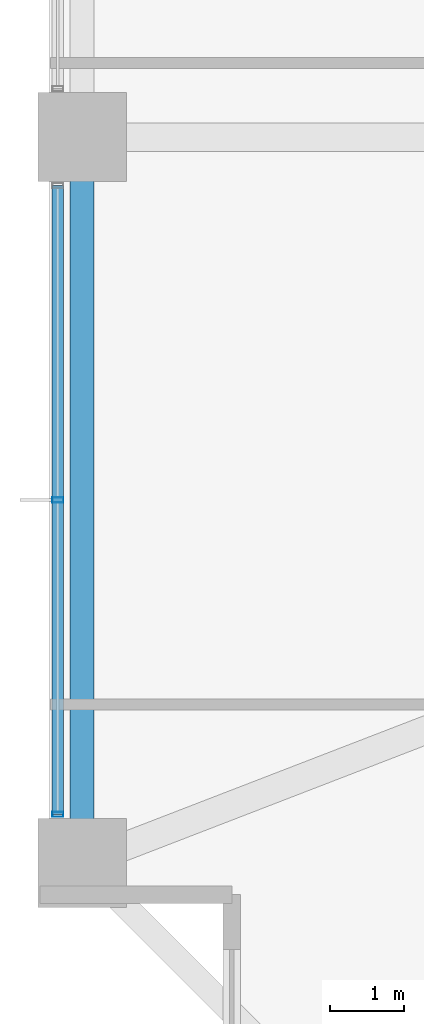
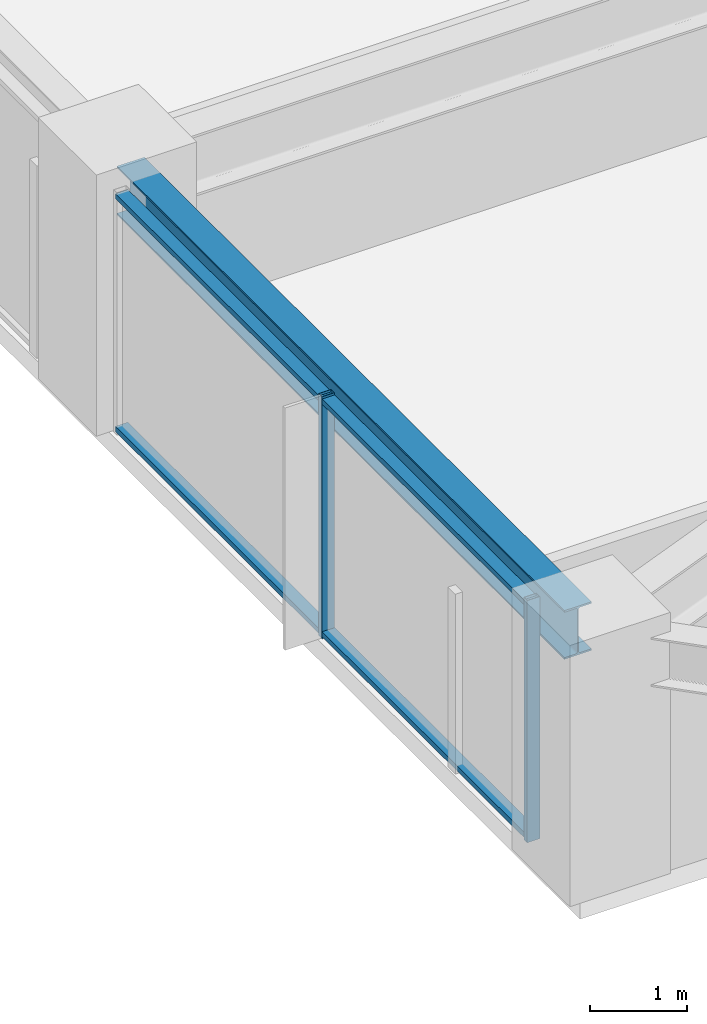
# One storey, part 3 of 38: 4 members, 1 beam, 1 element without a shape of its own.
"""IFC4 building model written with IfcOpenShell, lengths in metres."""

from ifc_helpers import new_model, si_unit, direction, frame, origin, origin_2d, place, context, subcontext, project, spatial, hollow_rectangle, i_section, extrude, material, material_profile, profile_set, type_object, element, aggregate, save


model = new_model("IFC4")

# Units and contexts
model_context = context("Model", 3, precision=1e-05, world=origin(), true_north=direction((0.0, 1.0)))
body_context = subcontext(model_context, "Body", "Model", "MODEL_VIEW")
ifc_project = project(units=[si_unit("LENGTHUNIT", "METRE"), si_unit("AREAUNIT", "SQUARE_METRE"), si_unit("VOLUMEUNIT", "CUBIC_METRE"), si_unit("PLANEANGLEUNIT", "RADIAN"), si_unit("MASSUNIT", "GRAM", prefix="KILO")], contexts=[model_context])

# Site, building, storey
site_placement = place(None, origin())
site = spatial("IfcSite", under=ifc_project, at=site_placement, CompositionType="ELEMENT")
building_placement = place(site_placement, origin())
building = spatial("IfcBuilding", under=site, at=building_placement, Name="Kolvaren Belvedere", CompositionType="ELEMENT")
storey_placement = place(building_placement, frame((0.0, 0.0, 27.10009765625)))
storey = spatial("IfcBuildingStorey", under=building, at=storey_placement, Name="L07", CompositionType="ELEMENT", Elevation=27.10009765625)

# Beam
ifc_material_1 = material(Name="Structural steel ASTM A992 Grade 50", Category="steel")
ifc_material_profile_1 = material_profile(ifc_material_1, i_section(OverallWidth=0.324951171875, OverallDepth=0.615966796875, WebThickness=0.013916015625, FlangeThickness=0.021484375, FilletRadius=0.02001953125, at=origin_2d()), Name="W24X117")
ifc_profile_set_1 = profile_set([ifc_material_profile_1], Name="Structural steel ASTM A992 Grade 50")
beam_type = type_object("IfcBeamType", Name="BM-SPAN-W24X117", PredefinedType="SPANDREL", material=ifc_profile_set_1)
beam_placement = place(storey_placement, frame((-21.550048828125, -4.8701171875, 2.751953125), z_axis=(0.0, -1.0, 0.0), x_axis=(1.0, 0.0, 0.0)))
element("IfcBeam", 1, at=beam_placement, inside=storey, type_object=beam_type, Name="L07 Perimeter Spandrel W2-W1", PredefinedType="SPANDREL", context=body_context, shape_type="SweptSolid", body=[
    extrude(i_section(OverallWidth=0.324951171875, OverallDepth=0.615966796875, WebThickness=0.013916015625, FlangeThickness=0.021484375, FilletRadius=0.02001953125, at=origin_2d()), origin(), (0.0, 0.0, 1.0), 9.259765625),
])

# Curtain wall, members
ifc_material_2 = material(Name="Anodised pale-metal aluminium AA 6063-T6", Category="aluminium")
curtain_wall_type = type_object("IfcCurtainWallType", Name="CW-Z1-LOW", PredefinedType="NOTDEFINED", material=ifc_material_2)
curtain_wall_placement = place(storey_placement, origin())
curtain_wall = element("IfcCurtainWall", 2, at=curtain_wall_placement, inside=storey, type_object=curtain_wall_type, Name="L07 Unitised Curtain Wall FCW-L07-W-B1", PredefinedType="NOTDEFINED")
ifc_material_3 = material(Name="Anodised pale-metal aluminium AA 6063-T6", Category="aluminium")
ifc_material_profile_2 = material_profile(ifc_material_3, hollow_rectangle(XDim=0.070068359375, YDim=0.14990234375, WallThickness=0.004150390625, at=origin_2d()), Name="ALU-MUL-150X70")
ifc_profile_set_2 = profile_set([ifc_material_profile_2], Name="Anodised pale-metal aluminium AA 6063-T6")
member_type_1 = type_object("IfcMemberType", Name="CW-MUL-150", PredefinedType="MULLION", material=ifc_profile_set_2)
member_1_placement = place(storey_placement, frame((-21.8798828125, -13.7451171875, 0.0), z_axis=(0.0, 0.0, 1.0), x_axis=(0.0, 1.0, 0.0)))
member_1 = element("IfcMember", 3, at=member_1_placement, type_object=member_type_1, Name="FCW-L07-W-B1 Unitised Mullion 1", PredefinedType="MULLION", context=body_context, shape_type="SweptSolid", body=[
    extrude(hollow_rectangle(XDim=0.070068359375, YDim=0.14990234375, WallThickness=0.004150390625, at=origin_2d()), origin(), (0.0, 0.0, 1.0), 3.059814453125),
])
member_2_placement = place(storey_placement, frame((-21.8798828125, -9.5, 0.0), z_axis=(0.0, 0.0, 1.0), x_axis=(0.0, 1.0, 0.0)))
member_2 = element("IfcMember", 4, at=member_2_placement, type_object=member_type_1, Name="FCW-L07-W-B1 Unitised Mullion 2", PredefinedType="MULLION", context=body_context, shape_type="SweptSolid", body=[
    extrude(hollow_rectangle(XDim=0.070068359375, YDim=0.14990234375, WallThickness=0.004150390625, at=origin_2d()), origin(), (0.0, 0.0, 1.0), 3.059814453125),
])
ifc_material_4 = material(Name="Anodised pale-metal aluminium AA 6063-T6", Category="aluminium")
ifc_material_profile_3 = material_profile(ifc_material_4, hollow_rectangle(XDim=0.06494140625, YDim=0.14990234375, WallThickness=0.00390625, at=origin_2d()), Name="ALU-TRN-150X65")
ifc_profile_set_3 = profile_set([ifc_material_profile_3], Name="Anodised pale-metal aluminium AA 6063-T6")
member_type_2 = type_object("IfcMemberType", Name="CW-TRN-150", PredefinedType="USERDEFINED", material=ifc_profile_set_3)
member_3_placement = place(storey_placement, frame((-21.8798828125, -13.7451171875, 0.059814453125), z_axis=(0.0, 1.0, 0.0), x_axis=(0.0, 0.0, 1.0)))
member_3 = element("IfcMember", 5, at=member_3_placement, type_object=member_type_2, Name="FCW-L07-W-B1 Sill Transom", ObjectType="TRANSOM", PredefinedType="USERDEFINED", context=body_context, shape_type="SweptSolid", body=[
    extrude(hollow_rectangle(XDim=0.06494140625, YDim=0.14990234375, WallThickness=0.00390625, at=origin_2d()), origin(), (0.0, 0.0, 1.0), 8.490234375),
])
member_4_placement = place(storey_placement, frame((-21.8798828125, -13.7451171875, 3.0), z_axis=(0.0, 1.0, 0.0), x_axis=(0.0, 0.0, 1.0)))
member_4 = element("IfcMember", 6, at=member_4_placement, type_object=member_type_2, Name="FCW-L07-W-B1 Head Transom", ObjectType="TRANSOM", PredefinedType="USERDEFINED", context=body_context, shape_type="SweptSolid", body=[
    extrude(hollow_rectangle(XDim=0.06494140625, YDim=0.14990234375, WallThickness=0.00390625, at=origin_2d()), origin(), (0.0, 0.0, 1.0), 8.490234375),
])
aggregate(curtain_wall, [member_1, member_2, member_3, member_4])

save(model, "model.ifc")
